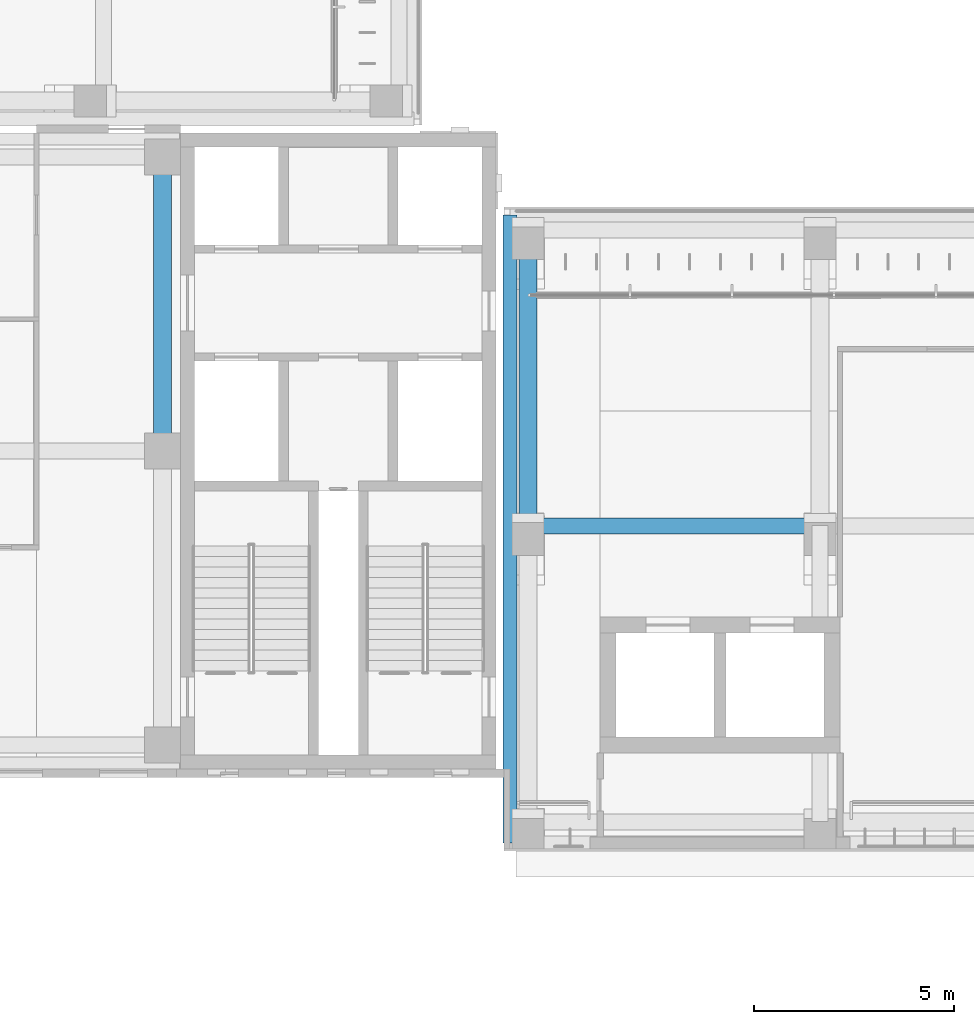
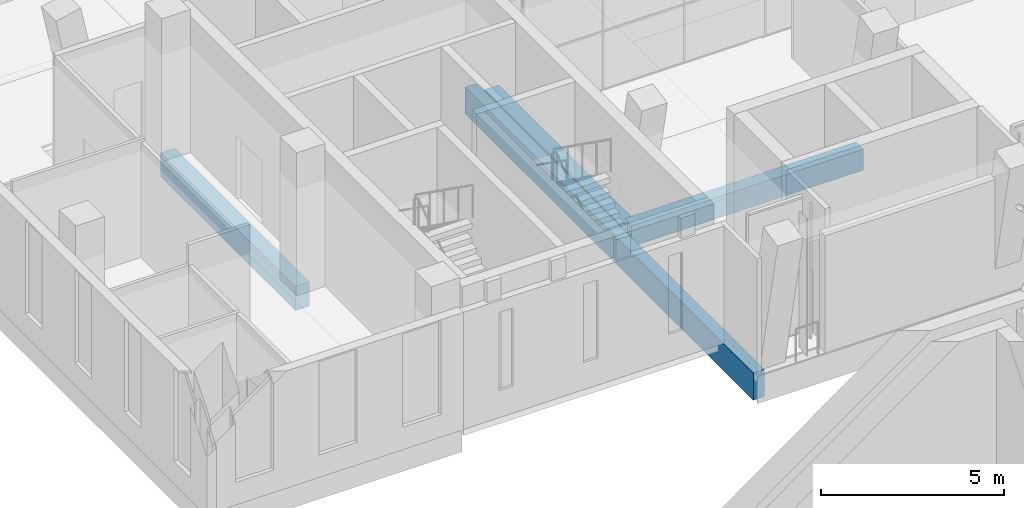
# One storey, part 31 of 141: 4 beams.
"""IFC4 building model written with IfcOpenShell, lengths in metres."""

import ifcopenshell
import ifcopenshell.guid

model = None  # the IFC model being written
_history = None  # IfcOwnerHistory: only IFC2X3 demands one
_inside = {}  # id of a spatial element -> (the spatial element, [elements in it])
_under = {}  # id of a project, library or spatial element -> (it, [spatial elements below it])
_declared = {}  # id of a project -> (the project, [libraries it declares])
_typed = {}  # id of a type object -> (the type object, [elements of that type])
_made_of = {}  # id of a material, layer set ... -> (it, [elements and type objects made of it])


def new_model(schema):
    """Start an empty IFC model of exactly this schema.

    Asked for "IFC4X3", IfcOpenShell would pick the latest addendum, in which some entities
    have other attributes; the version numbers below select the first issue.
    IFC2X3 requires an IfcOwnerHistory on every rooted entity: one is made here for all.
    """
    global model, _history
    if schema == "IFC4X3":
        model = ifcopenshell.file(schema_version=(4, 3, 0, 0))
    else:
        model = ifcopenshell.file(schema=schema)
    _inside.clear()
    _under.clear()
    _declared.clear()
    _typed.clear()
    _made_of.clear()
    _history = None
    if model.schema == "IFC2X3":
        org = make("IfcOrganization", Name="unknown")
        user = make(
            "IfcPersonAndOrganization",
            ThePerson=make("IfcPerson", FamilyName="unknown"),
            TheOrganization=org,
        )
        app = make(
            "IfcApplication",
            ApplicationDeveloper=org,
            Version="unknown",
            ApplicationFullName="unknown",
            ApplicationIdentifier="unknown",
        )
        _history = make(
            "IfcOwnerHistory",
            OwningUser=user,
            OwningApplication=app,
            ChangeAction="ADDED",
            CreationDate=0,
        )
    return model


def make(cls, **values):
    """One entity of the class cls with the attributes given. An attribute that is None is left unset."""
    return model.create_entity(
        cls, **{name: value for name, value in values.items() if value is not None}
    )


def rooted(cls, **values):
    """An entity with a GlobalId (a new one), such as an element, a storey or a relation."""
    return make(cls, GlobalId=ifcopenshell.guid.new(), OwnerHistory=_history, **values)


def si_unit(unit_type, name, prefix=None):
    """IfcSIUnit, for example si_unit("LENGTHUNIT", "METRE", prefix="MILLI")."""
    return make("IfcSIUnit", UnitType=unit_type, Prefix=prefix, Name=name)


def assignment(units):
    """IfcUnitAssignment: the units of a project."""
    return None if units is None else make("IfcUnitAssignment", Units=units)


def point(xyz):
    """IfcCartesianPoint."""
    return None if xyz is None else make("IfcCartesianPoint", Coordinates=xyz)


def direction(xyz):
    """IfcDirection."""
    return None if xyz is None else make("IfcDirection", DirectionRatios=xyz)


def frame(location, z_axis=None, x_axis=None):
    """IfcAxis2Placement3D, a coordinate frame: its origin and axes. An axis left out is left unset."""
    return make(
        "IfcAxis2Placement3D",
        Location=point(location),
        Axis=direction(z_axis),
        RefDirection=direction(x_axis),
    )


def frame_2d(location, x_axis=None):
    """IfcAxis2Placement2D, a coordinate frame in the plane: its origin and x axis."""
    return make(
        "IfcAxis2Placement2D", Location=point(location), RefDirection=direction(x_axis)
    )


def origin():
    """The frame at (0, 0, 0) with its axes left unset."""
    return frame((0.0, 0.0, 0.0))


def origin_2d():
    """The frame at (0, 0) in the plane with its x axis left unset."""
    return frame_2d((0.0, 0.0))


def place(relative_to, where):
    """IfcLocalPlacement: puts the frame where relative to a parent placement (None: the world)."""
    return make(
        "IfcLocalPlacement", PlacementRelTo=relative_to, RelativePlacement=where
    )


def context(
    kind, dimensions, precision=None, world=None, true_north=None, identifier=None
):
    """IfcGeometricRepresentationContext, for example the 3D "Model" context."""
    return make(
        "IfcGeometricRepresentationContext",
        ContextIdentifier=identifier,
        ContextType=kind,
        CoordinateSpaceDimension=dimensions,
        Precision=precision,
        WorldCoordinateSystem=world,
        TrueNorth=true_north,
    )


def subcontext(parent, identifier, kind, view, scale=None):
    """IfcGeometricRepresentationSubContext, for example "Body" below "Model"."""
    return make(
        "IfcGeometricRepresentationSubContext",
        ContextIdentifier=identifier,
        ContextType=kind,
        ParentContext=parent,
        TargetScale=scale,
        TargetView=view,
    )


def project(units=None, contexts=None):
    """IfcProject with its units and contexts."""
    return rooted(
        "IfcProject",
        Name="project",
        RepresentationContexts=contexts,
        UnitsInContext=assignment(units),
    )


def spatial(cls, under=None, at=None, **own):
    """A site, building, storey or space (cls), placed at a placement, below another one or the project."""
    s = rooted(cls, ObjectPlacement=at, **own)
    if under is not None:
        _under.setdefault(under.id(), (under, []))[1].append(s)
    return s


def profile(cls, at=None, kind="AREA", **sizes):
    """A parametric profile (cls). Its sizes go by their IFC names, for example OverallWidth=200.0."""
    return make(cls, ProfileType=kind, Position=at, **sizes)


def rectangle(**sizes):
    """IfcRectangleProfileDef."""
    return profile("IfcRectangleProfileDef", **sizes)


def extrude(swept, where, along, depth):
    """IfcExtrudedAreaSolid: the profile swept, set in the frame where, extruded along a direction by depth."""
    return make(
        "IfcExtrudedAreaSolid",
        SweptArea=swept,
        Position=where,
        ExtrudedDirection=direction(along),
        Depth=depth,
    )


def shape(context_of_items, identifier, shape_type, items):
    """IfcShapeRepresentation: the items that make up one representation, for example the "Body"."""
    return make(
        "IfcShapeRepresentation",
        ContextOfItems=context_of_items,
        RepresentationIdentifier=identifier,
        RepresentationType=shape_type,
        Items=items,
    )


def material(Name=None, Category=None):
    """IfcMaterial."""
    return make("IfcMaterial", Name=Name, Category=Category)


def material_profile(
    of_material, cross_section, Name=None, Category=None, Priority=None
):
    """IfcMaterialProfile: a cross section and its material."""
    return make(
        "IfcMaterialProfile",
        Name=Name,
        Material=of_material,
        Profile=cross_section,
        Priority=Priority,
        Category=Category,
    )


def profile_set(profiles, Name=None, composite=None):
    """IfcMaterialProfileSet."""
    return make(
        "IfcMaterialProfileSet",
        Name=Name,
        MaterialProfiles=profiles,
        CompositeProfile=composite,
    )


def made_of(thing, what):
    """Note that an element or type object is made of a material, layer set ...; save() writes the relation."""
    if what is not None:
        _made_of.setdefault(what.id(), (what, []))[1].append(thing)
    return thing


def type_object(cls, material=None, **own):
    """A type object (cls), such as IfcWallType, which elements share."""
    return made_of(rooted(cls, **own), material)


def element(
    cls,
    number,
    at=None,
    inside=None,
    cuts=None,
    type_object=None,
    material=None,
    context=None,
    identifier="Body",
    shape_type=None,
    held_by="IfcProductDefinitionShape",
    body=None,
    shapes=None,
    **own,
):
    """One element of the class cls, such as IfcWall. Its Tag is "e" and its number.

    at: its placement. inside: the storey or other place that contains it. cuts: it is an
    opening in that element (IfcRelVoidsElement). A single representation is given by context,
    identifier, shape_type and body (its items); several are given by shapes. held_by: the class
    of the entity that holds the representations. save() writes the other relations.
    """
    e = rooted(cls, Tag="e%d" % number, ObjectPlacement=at, **own)
    if body is not None:
        shapes = [shape(context, identifier, shape_type, body)]
    if shapes is not None:
        e.Representation = make(held_by, Representations=shapes)
    if inside is not None:
        _inside.setdefault(inside.id(), (inside, []))[1].append(e)
    if cuts is not None:
        rooted(
            "IfcRelVoidsElement", RelatingBuildingElement=cuts, RelatedOpeningElement=e
        )
    if type_object is not None:
        _typed.setdefault(type_object.id(), (type_object, []))[1].append(e)
    return made_of(e, material)


def aggregate(whole, parts):
    """IfcRelAggregates: a whole, such as a stair, and the parts it consists of."""
    return rooted("IfcRelAggregates", RelatingObject=whole, RelatedObjects=parts)


def save(model, path):
    """Write the relations noted so far, then the file.

    IfcRelAggregates (storeys below a building ...), IfcRelContainedInSpatialStructure (elements
    in a storey), IfcRelDefinesByType, IfcRelAssociatesMaterial and IfcRelDeclares: one each for
    every whole, place, type object, material and project.
    """
    for whole, parts in _under.values():
        aggregate(whole, parts)
    for where, things in _inside.values():
        rooted(
            "IfcRelContainedInSpatialStructure",
            RelatedElements=things,
            RelatingStructure=where,
        )
    for kind, things in _typed.values():
        rooted("IfcRelDefinesByType", RelatedObjects=things, RelatingType=kind)
    for what, things in _made_of.values():
        rooted("IfcRelAssociatesMaterial", RelatedObjects=things, RelatingMaterial=what)
    for by, libraries in _declared.values():
        rooted("IfcRelDeclares", RelatingContext=by, RelatedDefinitions=libraries)
    model.write(path)


model = new_model("IFC4")

# Units and contexts
model_context = context("Model", 3, precision=1e-05, world=origin(), true_north=direction((0.0, 1.0)))
body_context = subcontext(model_context, "Body", "Model", "MODEL_VIEW")
ifc_project = project(units=[si_unit("LENGTHUNIT", "METRE"), si_unit("AREAUNIT", "SQUARE_METRE"), si_unit("VOLUMEUNIT", "CUBIC_METRE"), si_unit("PLANEANGLEUNIT", "RADIAN"), si_unit("MASSUNIT", "GRAM", prefix="KILO")], contexts=[model_context])

# Site, building, storey
site_placement = place(None, origin())
site = spatial("IfcSite", under=ifc_project, at=site_placement, CompositionType="ELEMENT")
building_placement = place(site_placement, origin())
building = spatial("IfcBuilding", under=site, at=building_placement, Name="Lantern Court Media Centre", CompositionType="ELEMENT")
storey_placement = place(building_placement, frame((0.0, 0.0, 9.60009765625)))
storey = spatial("IfcBuildingStorey", under=building, at=storey_placement, Name="L02", CompositionType="ELEMENT", Elevation=9.60009765625)

# Beams
ifc_material = material(Name="Concrete C35", Category="concrete")
ifc_material_profile_1 = material_profile(ifc_material, rectangle(XDim=0.35009765625, YDim=0.89990234375, at=origin_2d()), Name="RC 350x900")
ifc_profile_set_1 = profile_set([ifc_material_profile_1], Name="Concrete C35")
beam_type_1 = type_object("IfcBeamType", Name="RC BEAM 350x900", PredefinedType="BEAM", material=ifc_profile_set_1)
beam_1_placement = place(storey_placement, frame((24.25, 46.14990234375, -0.4501953125), z_axis=(0.0, 1.0, 0.0), x_axis=(-1.0, 0.0, 0.0)))
element("IfcBeam", 1, at=beam_1_placement, inside=storey, type_object=beam_type_1, Name="EB-S-L02-C", PredefinedType="BEAM", context=body_context, shape_type="SweptSolid", body=[
    extrude(rectangle(XDim=0.35009765625, YDim=0.89990234375, at=origin_2d()), origin(), (0.0, 0.0, 1.0), 15.7001953125),
])
ifc_material_profile_2 = material_profile(ifc_material, rectangle(XDim=0.39990234375, YDim=0.699951171875, at=origin_2d()), Name="RC 400x700")
ifc_profile_set_2 = profile_set([ifc_material_profile_2], Name="Concrete C35")
beam_type_2 = type_object("IfcBeamType", Name="RC BEAM 400x700", PredefinedType="BEAM", material=ifc_profile_set_2)
beam_2_placement = place(storey_placement, frame((24.699951171875, 54.072998046875, -0.35009765625), z_axis=(1.0, 0.0, 0.0), x_axis=(0.0, 1.0, 0.0)))
element("IfcBeam", 2, at=beam_2_placement, inside=storey, type_object=beam_type_2, Name="LB-S-L02-1-0", PredefinedType="BEAM", context=body_context, shape_type="SweptSolid", body=[
    extrude(rectangle(XDim=0.39990234375, YDim=0.699951171875, at=origin_2d()), origin(), (0.0, 0.0, 1.0), 7.300048828125),
])
ifc_material_profile_3 = material_profile(ifc_material, rectangle(XDim=0.449951171875, YDim=0.800048828125, at=origin_2d()), Name="RC 450x800")
ifc_profile_set_3 = profile_set([ifc_material_profile_3], Name="Concrete C35")
beam_type_3 = type_object("IfcBeamType", Name="RC BEAM 450x800", PredefinedType="BEAM", material=ifc_profile_set_3)
beam_3_placement = place(storey_placement, frame((15.550048828125, 55.949951171875, -0.400146484375), z_axis=(0.0, 1.0, 0.0), x_axis=(-1.0, 0.0, 0.0)))
element("IfcBeam", 3, at=beam_3_placement, inside=storey, type_object=beam_type_3, Name="BB-SW-L02-X1-15", PredefinedType="BEAM", context=body_context, shape_type="SweptSolid", body=[
    extrude(rectangle(XDim=0.449951171875, YDim=0.800048828125, at=origin_2d()), origin(), (0.0, 0.0, 1.0), 7.35009765625),
])
beam_4_placement = place(storey_placement, frame((24.699951171875, 54.083251953125, -0.400146484375), z_axis=(0.0, 1.0, 0.0), x_axis=(-1.0, 0.0, 0.0)))
element("IfcBeam", 4, at=beam_4_placement, inside=storey, type_object=beam_type_3, Name="TB-S-L02-0-2", PredefinedType="BEAM", context=body_context, shape_type="SweptSolid", body=[
    extrude(rectangle(XDim=0.449951171875, YDim=0.800048828125, at=origin_2d()), origin(), (0.0, 0.0, 1.0), 7.400146484375),
])

save(model, "model.ifc")
